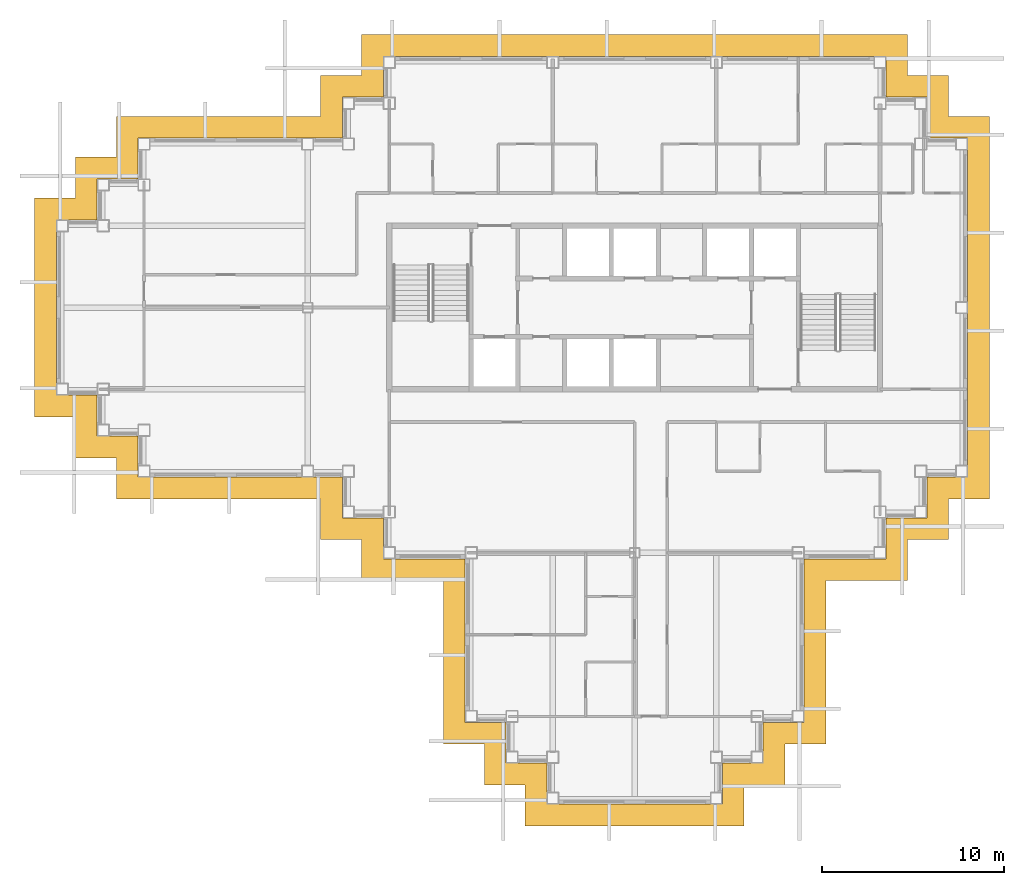
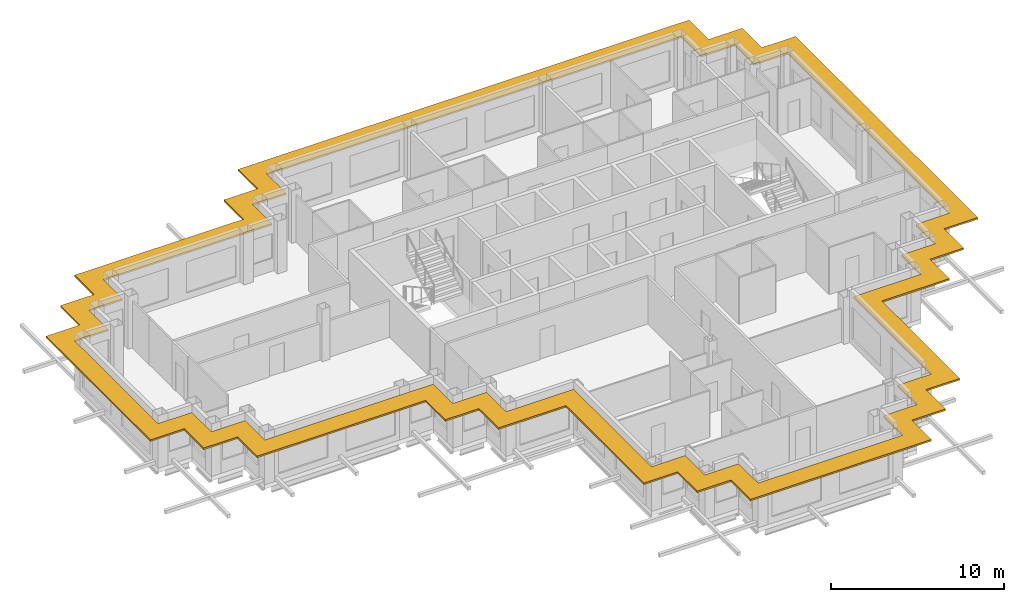
# One storey, part 10 of 11: 1 shading device.
"""IFC4 building model written with IfcOpenShell, lengths in metres."""

from ifc_helpers import new_model, si_unit, direction, frame, origin, place, context, subcontext, project, spatial, polyline, outline, extrude, material, layer, layer_set, type_object, element, save


model = new_model("IFC4")

# Units and contexts
model_context = context("Model", 3, precision=1e-05, world=origin(), true_north=direction((0.0, 1.0)))
body_context = subcontext(model_context, "Body", "Model", "MODEL_VIEW")
ifc_project = project(units=[si_unit("LENGTHUNIT", "METRE"), si_unit("AREAUNIT", "SQUARE_METRE"), si_unit("VOLUMEUNIT", "CUBIC_METRE"), si_unit("PLANEANGLEUNIT", "RADIAN"), si_unit("MASSUNIT", "GRAM", prefix="KILO")], contexts=[model_context])

# Site, building, storey
site_placement = place(None, origin())
site = spatial("IfcSite", under=ifc_project, at=site_placement, CompositionType="ELEMENT")
building_placement = place(site_placement, origin())
building = spatial("IfcBuilding", under=site, at=building_placement, Name="Caravel Reach Hotel and Residences", CompositionType="ELEMENT")
storey_placement = place(building_placement, frame((0.0, 0.0, 229.39990234375)))
storey = spatial("IfcBuildingStorey", under=building, at=storey_placement, Name="L58", CompositionType="ELEMENT", Elevation=229.39990234375)

# Shading device
ifc_material = material(Name="Black powder-coated aluminium", Category="aluminium")
ifc_layer = layer(ifc_material, 0.1201171875)
ifc_layer_set = layer_set([ifc_layer], Name="SS1 Sunshade band 1200")
shading_device_type = type_object("IfcShadingDeviceType", Name="SS1 Sunshade band 1200", PredefinedType="USERDEFINED", material=ifc_layer_set)
shading_device_placement = place(storey_placement, frame((0.0, 0.0, 3.0400390625)))
element("IfcShadingDevice", 1, at=shading_device_placement, inside=storey, type_object=shading_device_type, Name="Sunshade L58 1", ObjectType="SUNSHADE", PredefinedType="USERDEFINED", context=body_context, shape_type="SweptSolid", body=[
    extrude(outline(polyline([(42.02490234375, 2.97509765625), (42.02490234375, 11.97509765625), (46.52490234375, 11.97509765625), (46.52490234375, 14.22509765625), (48.77490234375, 14.22509765625), (48.77490234375, 16.47509765625), (51.02490234375, 16.47509765625), (51.02490234375, 37.52490234375), (48.77490234375, 37.52490234375), (48.77490234375, 39.77490234375), (46.52490234375, 39.77490234375), (46.52490234375, 42.02490234375), (16.47509765625, 42.02490234375), (16.47509765625, 39.77490234375), (14.22509765625, 39.77490234375), (14.22509765625, 37.52490234375), (2.97509765625, 37.52490234375), (2.97509765625, 35.27490234375), (0.72509765625, 35.27490234375), (0.72509765625, 33.02490234375), (-1.52490234375, 33.02490234375), (-1.52490234375, 20.97509765625), (0.72509765625, 20.97509765625), (0.72509765625, 18.72509765625), (2.97509765625, 18.72509765625), (2.97509765625, 16.47509765625), (14.22509765625, 16.47509765625), (14.22509765625, 14.22509765625), (16.47509765625, 14.22509765625), (16.47509765625, 11.97509765625), (20.97509765625, 11.97509765625), (20.97509765625, 2.97509765625), (23.22509765625, 2.97509765625), (23.22509765625, 0.72509765625), (25.47509765625, 0.72509765625), (25.47509765625, -1.52490234375), (37.52490234375, -1.52490234375), (37.52490234375, 0.72509765625), (39.77490234375, 0.72509765625), (39.77490234375, 2.97509765625), (42.02490234375, 2.97509765625)]), holes=[polyline([(45.324951171875, 13.175048828125), (40.824951171875, 13.175048828125), (40.824951171875, 4.175048828125), (38.574951171875, 4.175048828125), (38.574951171875, 1.925048828125), (36.324951171875, 1.925048828125), (36.324951171875, -0.324951171875), (26.675048828125, -0.324951171875), (26.675048828125, 1.925048828125), (24.425048828125, 1.925048828125), (24.425048828125, 4.175048828125), (22.175048828125, 4.175048828125), (22.175048828125, 13.175048828125), (17.675048828125, 13.175048828125), (17.675048828125, 15.425048828125), (15.425048828125, 15.425048828125), (15.425048828125, 17.675048828125), (4.175048828125, 17.675048828125), (4.175048828125, 19.925048828125), (1.925048828125, 19.925048828125), (1.925048828125, 22.175048828125), (-0.324951171875, 22.175048828125), (-0.324951171875, 31.824951171875), (1.925048828125, 31.824951171875), (1.925048828125, 34.074951171875), (4.175048828125, 34.074951171875), (4.175048828125, 36.324951171875), (15.425048828125, 36.324951171875), (15.425048828125, 38.574951171875), (17.675048828125, 38.574951171875), (17.675048828125, 40.824951171875), (45.324951171875, 40.824951171875), (45.324951171875, 38.574951171875), (47.574951171875, 38.574951171875), (47.574951171875, 36.324951171875), (49.824951171875, 36.324951171875), (49.824951171875, 17.675048828125), (47.574951171875, 17.675048828125), (47.574951171875, 15.425048828125), (45.324951171875, 15.425048828125), (45.324951171875, 13.175048828125)])]), origin(), (0.0, 0.0, 1.0), 0.1201171875),
])

save(model, "model.ifc")
